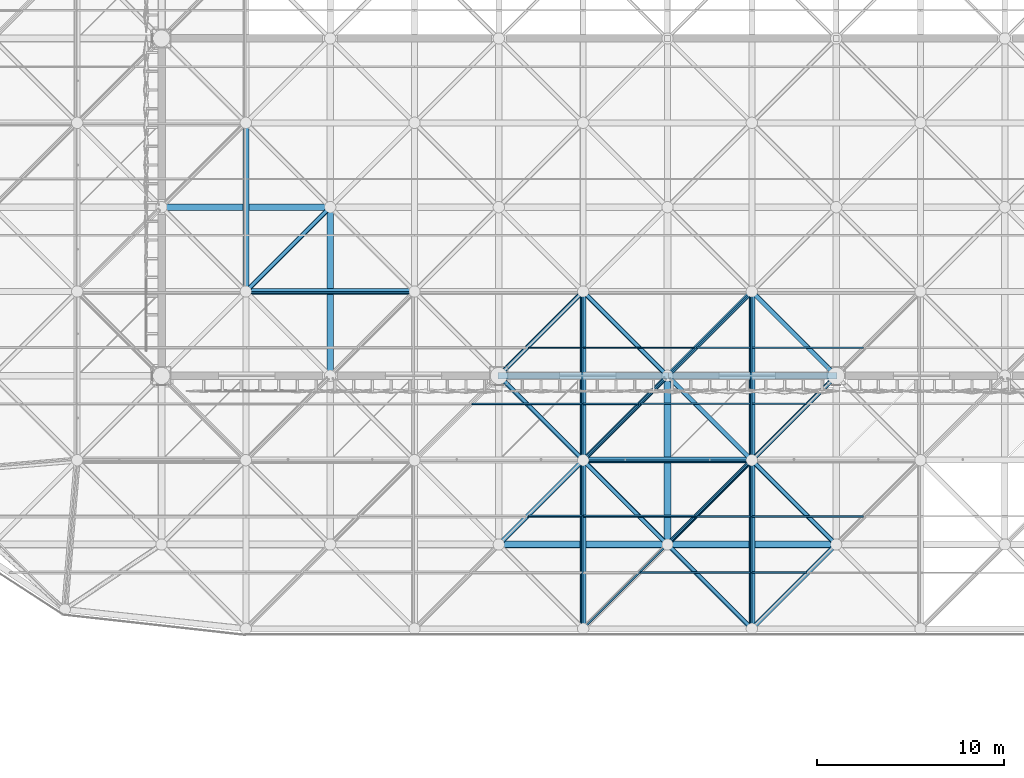
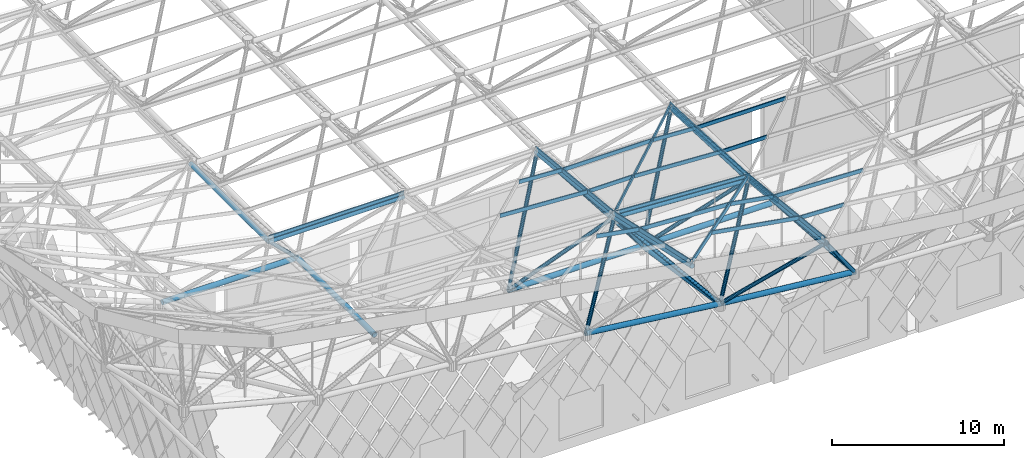
# One storey, part 53 of 437: 51 members.
"""IFC4 building model written with IfcOpenShell, lengths in metres."""

from ifc_helpers import new_model, si_unit, direction, frame, origin, origin_2d, place, context, subcontext, project, spatial, polyline, hollow_circle, outline, extrude, material, material_profile, profile_set, type_object, element, save


model = new_model("IFC4")

# Units and contexts
model_context = context("Model", 3, precision=1e-05, world=origin(), true_north=direction((0.0, 1.0)))
body_context = subcontext(model_context, "Body", "Model", "MODEL_VIEW")
ifc_project = project(units=[si_unit("LENGTHUNIT", "METRE"), si_unit("AREAUNIT", "SQUARE_METRE"), si_unit("VOLUMEUNIT", "CUBIC_METRE"), si_unit("PLANEANGLEUNIT", "RADIAN"), si_unit("MASSUNIT", "GRAM", prefix="KILO")], contexts=[model_context])

# Site, building, storey
site_placement = place(None, origin())
site = spatial("IfcSite", under=ifc_project, at=site_placement, CompositionType="ELEMENT")
building_placement = place(site_placement, origin())
building = spatial("IfcBuilding", under=site, at=building_placement, Name="Opaline Strait Convention Centre", CompositionType="ELEMENT")
storey_placement = place(building_placement, frame((0.0, 0.0, 11.5)))
storey = spatial("IfcBuildingStorey", under=building, at=storey_placement, Name="L02", CompositionType="ELEMENT", Elevation=11.5)

# Members
ifc_material = material(Name="Steel Q355B", Category="steel")
ifc_material_profile_1 = material_profile(ifc_material, outline(polyline([(-0.03759765625, -0.125), (0.03759765625, -0.125), (0.03759765625, -0.10498046875), (0.034912109375, -0.10498046875), (0.034912109375, -0.12255859375), (-0.034912109375, -0.12255859375), (-0.034912109375, 0.12255859375), (0.034912109375, 0.12255859375), (0.034912109375, 0.10498046875), (0.03759765625, 0.10498046875), (0.03759765625, 0.125), (-0.03759765625, 0.125), (-0.03759765625, -0.125)])), Name="C 250x75x20x2.5")
ifc_profile_set_1 = profile_set([ifc_material_profile_1], Name="Steel Q355B")
member_type_1 = type_object("IfcMemberType", Name="Roof purlin C 250x75x20x2.5", PredefinedType="PURLIN", material=ifc_profile_set_1)
member_1_placement = place(storey_placement, frame((121.439697265625, 49.550048828125, 19.149169921875), z_axis=(0.0, -0.976700958406, 0.214604841159), x_axis=(0.985529741381, -0.036376076933, -0.165553344517)))
element("IfcMember", 1, at=member_1_placement, inside=storey, type_object=member_type_1, Name="EXB-RF-E-3-0a", PredefinedType="PURLIN", context=body_context, shape_type="SweptSolid", body=[
    extrude(outline(polyline([(-0.03759765625, -0.125), (0.03759765625, -0.125), (0.03759765625, -0.10498046875), (0.034912109375, -0.10498046875), (0.034912109375, -0.12255859375), (-0.034912109375, -0.12255859375), (-0.034912109375, 0.12255859375), (0.034912109375, 0.12255859375), (0.034912109375, 0.10498046875), (0.03759765625, 0.10498046875), (0.03759765625, 0.125), (-0.03759765625, 0.125), (-0.03759765625, -0.125)])), origin(), (0.0, 0.0, 1.0), 9.317138671875),
])
member_2_placement = place(storey_placement, frame((118.550048828125, 46.5, 20.328125), z_axis=(0.984838613321, 0.0, -0.173473069127), x_axis=(-0.037227435225, 0.976701876974, -0.211347016969)))
element("IfcMember", 2, at=member_2_placement, inside=storey, type_object=member_type_1, Name="EXB-RF-P-3-0-1a", PredefinedType="PURLIN", context=body_context, shape_type="SweptSolid", body=[
    extrude(outline(polyline([(-0.03759765625, -0.125), (0.03759765625, -0.125), (0.03759765625, -0.10498046875), (0.034912109375, -0.10498046875), (0.034912109375, -0.12255859375), (-0.034912109375, -0.12255859375), (-0.034912109375, 0.12255859375), (0.034912109375, 0.12255859375), (0.034912109375, 0.10498046875), (0.03759765625, 0.10498046875), (0.03759765625, 0.125), (-0.03759765625, 0.125), (-0.03759765625, -0.125)])), origin(), (0.0, 0.0, 1.0), 2.899169921875),
])
member_3_placement = place(storey_placement, frame((121.5, 40.5, 21.121826171875), z_axis=(0.694204223982, 0.694204223982, -0.190160434401), x_axis=(-0.717833830455, 0.687135763969, -0.112067094763)))
element("IfcMember", 3, at=member_3_placement, inside=storey, type_object=member_type_1, Name="EXB-RF-F-4-0", PredefinedType="PURLIN", context=body_context, shape_type="SweptSolid", body=[
    extrude(outline(polyline([(-0.03759765625, -0.125), (0.03759765625, -0.125), (0.03759765625, -0.10498046875), (0.034912109375, -0.10498046875), (0.034912109375, -0.12255859375), (-0.034912109375, -0.12255859375), (-0.034912109375, 0.12255859375), (0.034912109375, 0.12255859375), (0.034912109375, 0.10498046875), (0.03759765625, 0.10498046875), (0.03759765625, 0.125), (-0.03759765625, 0.125), (-0.03759765625, -0.125)])), origin(), (0.0, 0.0, 1.0), 12.964599609375),
])
member_4_placement = place(storey_placement, frame((130.43994140625, 49.550048828125, 18.665771484375), z_axis=(0.0, -0.994612105595, 0.10366657805), x_axis=(0.986051866452, -0.017254091808, -0.165541574785)))
element("IfcMember", 4, at=member_4_placement, inside=storey, type_object=member_type_1, Name="EXB-RF-E-4-0a", PredefinedType="PURLIN", context=body_context, shape_type="SweptSolid", body=[
    extrude(outline(polyline([(-0.03759765625, -0.125), (0.03759765625, -0.125), (0.03759765625, -0.10498046875), (0.034912109375, -0.10498046875), (0.034912109375, -0.12255859375), (-0.034912109375, -0.12255859375), (-0.034912109375, 0.12255859375), (0.034912109375, 0.12255859375), (0.034912109375, 0.10498046875), (0.03759765625, 0.10498046875), (0.03759765625, 0.125), (-0.03759765625, 0.125), (-0.03759765625, -0.125)])), origin(), (0.0, 0.0, 1.0), 9.1494140625),
])
member_5_placement = place(storey_placement, frame((124.550048828125, 43.5, 20.2958984375), z_axis=(0.985905248574, 0.0, -0.167304634827), x_axis=(-0.017342598278, 0.994612915883, -0.102197758502)))
element("IfcMember", 5, at=member_5_placement, inside=storey, type_object=member_type_1, Name="EXB-RF-P-4-0-0a", PredefinedType="PURLIN", context=body_context, shape_type="SweptSolid", body=[
    extrude(outline(polyline([(-0.03759765625, -0.125), (0.03759765625, -0.125), (0.03759765625, -0.10498046875), (0.034912109375, -0.10498046875), (0.034912109375, -0.12255859375), (-0.034912109375, -0.12255859375), (-0.034912109375, 0.12255859375), (0.034912109375, 0.12255859375), (0.034912109375, 0.10498046875), (0.03759765625, 0.10498046875), (0.03759765625, 0.125), (-0.03759765625, 0.125), (-0.03759765625, -0.125)])), origin(), (0.0, 0.0, 1.0), 5.939208984375),
])
member_6_placement = place(storey_placement, frame((127.550048828125, 46.5, 19.47412109375), z_axis=(0.985902048342, 0.0, -0.167323492301), x_axis=(-0.017344553021, 0.994612915883, -0.10219742677)))
element("IfcMember", 6, at=member_6_placement, inside=storey, type_object=member_type_1, Name="EXB-RF-P-4-0-1a", PredefinedType="PURLIN", context=body_context, shape_type="SweptSolid", body=[
    extrude(outline(polyline([(-0.03759765625, -0.125), (0.03759765625, -0.125), (0.03759765625, -0.10498046875), (0.034912109375, -0.10498046875), (0.034912109375, -0.12255859375), (-0.034912109375, -0.12255859375), (-0.034912109375, 0.12255859375), (0.034912109375, 0.12255859375), (0.034912109375, 0.10498046875), (0.03759765625, 0.10498046875), (0.03759765625, 0.125), (-0.03759765625, 0.125), (-0.03759765625, -0.125)])), origin(), (0.0, 0.0, 1.0), 2.896240234375),
])
member_7_placement = place(storey_placement, frame((130.550048828125, 49.434326171875, 18.671630859375), z_axis=(-0.998533323421, 0.0, 0.054140576451), x_axis=(0.011602359597, -0.976767751484, 0.213986319453)))
element("IfcMember", 7, at=member_7_placement, inside=storey, type_object=member_type_1, Name="EXB-RF-E-4-0b", PredefinedType="PURLIN", context=body_context, shape_type="SweptSolid", body=[
    extrude(outline(polyline([(-0.03759765625, -0.125), (0.03759765625, -0.125), (0.03759765625, -0.10498046875), (0.034912109375, -0.10498046875), (0.034912109375, -0.12255859375), (-0.034912109375, -0.12255859375), (-0.034912109375, 0.12255859375), (0.034912109375, 0.12255859375), (0.034912109375, 0.10498046875), (0.03759765625, 0.10498046875), (0.03759765625, 0.125), (-0.03759765625, 0.125), (-0.03759765625, -0.125)])), origin(), (0.0, 0.0, 1.0), 9.113525390625),
])
member_8_placement = place(storey_placement, frame((121.5, 46.5, 19.806884765625), z_axis=(0.998534204977, 0.0, -0.05412431516), x_axis=(-0.011615113786, 0.976701876974, -0.214286099985)))
element("IfcMember", 8, at=member_8_placement, inside=storey, type_object=member_type_1, Name="EXB-RF-P-4-0-1b", PredefinedType="PURLIN", context=body_context, shape_type="SweptSolid", body=[
    extrude(outline(polyline([(-0.03759765625, -0.125), (0.03759765625, -0.125), (0.03759765625, -0.10498046875), (0.034912109375, -0.10498046875), (0.034912109375, -0.12255859375), (-0.034912109375, -0.12255859375), (-0.034912109375, 0.12255859375), (0.034912109375, 0.12255859375), (0.034912109375, 0.10498046875), (0.03759765625, 0.10498046875), (0.03759765625, 0.125), (-0.03759765625, 0.125), (-0.03759765625, -0.125)])), origin(), (0.0, 0.0, 1.0), 5.958740234375),
])
member_9_placement = place(storey_placement, frame((130.5, 43.5, 19.284423828125), z_axis=(0.999304142932, 0.0, -0.037299194609), x_axis=(-0.003866389887, 0.994612915883, -0.10358667186)))
element("IfcMember", 9, at=member_9_placement, inside=storey, type_object=member_type_1, Name="EXB-RF-P-5-0-0b", PredefinedType="PURLIN", context=body_context, shape_type="SweptSolid", body=[
    extrude(outline(polyline([(-0.03759765625, -0.125), (0.03759765625, -0.125), (0.03759765625, -0.10498046875), (0.034912109375, -0.10498046875), (0.034912109375, -0.12255859375), (-0.034912109375, -0.12255859375), (-0.034912109375, 0.12255859375), (0.034912109375, 0.12255859375), (0.034912109375, 0.10498046875), (0.03759765625, 0.10498046875), (0.03759765625, 0.125), (-0.03759765625, 0.125), (-0.03759765625, -0.125)])), origin(), (0.0, 0.0, 1.0), 2.951904296875),
])
member_10_placement = place(storey_placement, frame((130.5, 46.5, 18.971923828125), z_axis=(0.999302080681, 0.0, -0.037354404641), x_axis=(-0.003872112893, 0.994612915883, -0.10358645809)))
element("IfcMember", 10, at=member_10_placement, inside=storey, type_object=member_type_1, Name="EXB-RF-P-5-0-1b", PredefinedType="PURLIN", context=body_context, shape_type="SweptSolid", body=[
    extrude(outline(polyline([(-0.03759765625, -0.125), (0.03759765625, -0.125), (0.03759765625, -0.10498046875), (0.034912109375, -0.10498046875), (0.034912109375, -0.12255859375), (-0.034912109375, -0.12255859375), (-0.034912109375, 0.12255859375), (0.034912109375, 0.12255859375), (0.034912109375, 0.10498046875), (0.03759765625, 0.10498046875), (0.03759765625, 0.125), (-0.03759765625, 0.125), (-0.03759765625, -0.125)])), origin(), (0.0, 0.0, 1.0), 5.9541015625),
])
member_11_placement = place(storey_placement, frame((112.550048828125, 58.43603515625, 18.270751953125), z_axis=(-1.0, 0.0, 0.0), x_axis=(0.0, -0.97978004307, 0.200077652928)))
element("IfcMember", 11, at=member_11_placement, inside=storey, type_object=member_type_1, Name="EXB-RF-E-2-1b", PredefinedType="PURLIN", context=body_context, shape_type="SweptSolid", body=[
    extrude(outline(polyline([(-0.03759765625, -0.125), (0.03759765625, -0.125), (0.03759765625, -0.10498046875), (0.034912109375, -0.10498046875), (0.034912109375, -0.12255859375), (-0.034912109375, -0.12255859375), (-0.034912109375, 0.12255859375), (0.034912109375, 0.12255859375), (0.034912109375, 0.10498046875), (0.03759765625, 0.10498046875), (0.03759765625, 0.125), (-0.03759765625, 0.125), (-0.03759765625, -0.125)])), origin(), (0.0, 0.0, 1.0), 9.10009765625),
])
member_12_placement = place(storey_placement, frame((121.453125, 58.550048828125, 18.255126953125), z_axis=(0.0, -0.99514863855, 0.098382860253), x_axis=(0.998402930819, -0.005558054974, -0.056220065425)))
element("IfcMember", 12, at=member_12_placement, inside=storey, type_object=member_type_1, Name="EXB-RF-E-3-1a", PredefinedType="PURLIN", context=body_context, shape_type="SweptSolid", body=[
    extrude(outline(polyline([(-0.03759765625, -0.125), (0.03759765625, -0.125), (0.03759765625, -0.10498046875), (0.034912109375, -0.10498046875), (0.034912109375, -0.12255859375), (-0.034912109375, -0.12255859375), (-0.034912109375, 0.12255859375), (0.034912109375, 0.12255859375), (0.034912109375, 0.10498046875), (0.03759765625, 0.10498046875), (0.03759765625, 0.125), (-0.03759765625, 0.125), (-0.03759765625, -0.125)])), origin(), (0.0, 0.0, 1.0), 9.14453125),
])
member_13_placement = place(storey_placement, frame((115.550048828125, 52.5, 19.188720703125), z_axis=(0.998389263673, 0.0, -0.056735158257), x_axis=(-0.005581514902, 0.995149078082, -0.09821995258)))
element("IfcMember", 13, at=member_13_placement, inside=storey, type_object=member_type_1, Name="EXB-RF-P-3-1-0a", PredefinedType="PURLIN", context=body_context, shape_type="SweptSolid", body=[
    extrude(outline(polyline([(-0.03759765625, -0.125), (0.03759765625, -0.125), (0.03759765625, -0.10498046875), (0.034912109375, -0.10498046875), (0.034912109375, -0.12255859375), (-0.034912109375, -0.12255859375), (-0.034912109375, 0.12255859375), (0.034912109375, 0.12255859375), (0.034912109375, 0.10498046875), (0.03759765625, 0.10498046875), (0.03759765625, 0.125), (-0.03759765625, 0.125), (-0.03759765625, -0.125)])), origin(), (0.0, 0.0, 1.0), 5.878173828125),
])
member_14_placement = place(storey_placement, frame((118.550048828125, 55.5, 18.7216796875), z_axis=(0.998387885039, 0.0, -0.056759413379), x_axis=(-0.005583901083, 0.995149078082, -0.098219816952)))
element("IfcMember", 14, at=member_14_placement, inside=storey, type_object=member_type_1, Name="EXB-RF-P-3-1-1a", PredefinedType="PURLIN", context=body_context, shape_type="SweptSolid", body=[
    extrude(outline(polyline([(-0.03759765625, -0.125), (0.03759765625, -0.125), (0.03759765625, -0.10498046875), (0.034912109375, -0.10498046875), (0.034912109375, -0.12255859375), (-0.034912109375, -0.12255859375), (-0.034912109375, 0.12255859375), (0.034912109375, 0.12255859375), (0.034912109375, 0.10498046875), (0.03759765625, 0.10498046875), (0.03759765625, 0.125), (-0.03759765625, 0.125), (-0.03759765625, -0.125)])), origin(), (0.0, 0.0, 1.0), 2.873291015625),
])
member_15_placement = place(storey_placement, frame((121.5, 49.5, 19.144287109375), z_axis=(0.705385748856, 0.705385748856, -0.069727258812), x_axis=(-0.706758384602, 0.707423051329, 0.006724004996)))
element("IfcMember", 15, at=member_15_placement, inside=storey, type_object=member_type_1, Name="EXB-RF-F-4-1", PredefinedType="PURLIN", context=body_context, shape_type="SweptSolid", body=[
    extrude(outline(polyline([(-0.03759765625, -0.125), (0.03759765625, -0.125), (0.03759765625, -0.10498046875), (0.034912109375, -0.10498046875), (0.034912109375, -0.12255859375), (-0.034912109375, -0.12255859375), (-0.034912109375, 0.12255859375), (0.034912109375, 0.12255859375), (0.034912109375, 0.10498046875), (0.03759765625, 0.10498046875), (0.03759765625, 0.125), (-0.03759765625, 0.125), (-0.03759765625, -0.125)])), origin(), (0.0, 0.0, 1.0), 12.759033203125),
])
member_16_placement = place(storey_placement, frame((130.45361328125, 58.550048828125, 18.257568359375), z_axis=(0.0, -0.999005016003, 0.044597959613), x_axis=(0.998536953469, -0.002411571545, -0.054019782307)))
element("IfcMember", 16, at=member_16_placement, inside=storey, type_object=member_type_1, Name="EXB-RF-E-4-1a", PredefinedType="PURLIN", context=body_context, shape_type="SweptSolid", body=[
    extrude(outline(polyline([(-0.03759765625, -0.125), (0.03759765625, -0.125), (0.03759765625, -0.10498046875), (0.034912109375, -0.10498046875), (0.034912109375, -0.12255859375), (-0.034912109375, -0.12255859375), (-0.034912109375, 0.12255859375), (0.034912109375, 0.12255859375), (0.034912109375, 0.10498046875), (0.03759765625, 0.10498046875), (0.03759765625, 0.125), (-0.03759765625, 0.125), (-0.03759765625, -0.125)])), origin(), (0.0, 0.0, 1.0), 9.109130859375),
])
member_17_placement = place(storey_placement, frame((124.550048828125, 52.5, 18.84765625), z_axis=(0.998534214741, 0.0, -0.054124135023), x_axis=(-0.002414276433, 0.999004644434, -0.044540898827)))
element("IfcMember", 17, at=member_17_placement, inside=storey, type_object=member_type_1, Name="EXB-RF-P-4-1-0a", PredefinedType="PURLIN", context=body_context, shape_type="SweptSolid", body=[
    extrude(outline(polyline([(-0.03759765625, -0.125), (0.03759765625, -0.125), (0.03759765625, -0.10498046875), (0.034912109375, -0.10498046875), (0.034912109375, -0.12255859375), (-0.034912109375, -0.12255859375), (-0.034912109375, 0.12255859375), (0.034912109375, 0.12255859375), (0.034912109375, 0.10498046875), (0.03759765625, 0.10498046875), (0.03759765625, 0.125), (-0.03759765625, 0.125), (-0.03759765625, -0.125)])), origin(), (0.0, 0.0, 1.0), 5.87744140625),
])
member_18_placement = place(storey_placement, frame((127.550048828125, 55.5, 18.551025390625), z_axis=(0.998533968288, 0.0, -0.054128681627), x_axis=(-0.00241447924, 0.999004644434, -0.044540887834)))
element("IfcMember", 18, at=member_18_placement, inside=storey, type_object=member_type_1, Name="EXB-RF-P-4-1-1a", PredefinedType="PURLIN", context=body_context, shape_type="SweptSolid", body=[
    extrude(outline(polyline([(-0.03759765625, -0.125), (0.03759765625, -0.125), (0.03759765625, -0.10498046875), (0.034912109375, -0.10498046875), (0.034912109375, -0.12255859375), (-0.034912109375, -0.12255859375), (-0.034912109375, 0.12255859375), (0.034912109375, 0.12255859375), (0.034912109375, 0.10498046875), (0.03759765625, 0.10498046875), (0.03759765625, 0.125), (-0.03759765625, 0.125), (-0.03759765625, -0.125)])), origin(), (0.0, 0.0, 1.0), 2.873046875),
])
member_19_placement = place(storey_placement, frame((121.5, 52.5, 18.850341796875), z_axis=(1.0, 0.0, 0.0), x_axis=(0.0, 0.995149078082, -0.098378414266)))
element("IfcMember", 19, at=member_19_placement, inside=storey, type_object=member_type_1, Name="EXB-RF-P-4-1-0b", PredefinedType="PURLIN", context=body_context, shape_type="SweptSolid", body=[
    extrude(outline(polyline([(-0.03759765625, -0.125), (0.03759765625, -0.125), (0.03759765625, -0.10498046875), (0.034912109375, -0.10498046875), (0.034912109375, -0.12255859375), (-0.034912109375, -0.12255859375), (-0.034912109375, 0.12255859375), (0.034912109375, 0.12255859375), (0.034912109375, 0.10498046875), (0.03759765625, 0.10498046875), (0.03759765625, 0.125), (-0.03759765625, 0.125), (-0.03759765625, -0.125)])), origin(), (0.0, 0.0, 1.0), 2.949951171875),
])
member_20_placement = place(storey_placement, frame((121.5, 55.5, 18.5537109375), z_axis=(1.0, 0.0, 0.0), x_axis=(0.0, 0.995149078082, -0.098378414266)))
element("IfcMember", 20, at=member_20_placement, inside=storey, type_object=member_type_1, Name="EXB-RF-P-4-1-1b", PredefinedType="PURLIN", context=body_context, shape_type="SweptSolid", body=[
    extrude(outline(polyline([(-0.03759765625, -0.125), (0.03759765625, -0.125), (0.03759765625, -0.10498046875), (0.034912109375, -0.10498046875), (0.034912109375, -0.12255859375), (-0.034912109375, -0.12255859375), (-0.034912109375, 0.12255859375), (0.034912109375, 0.12255859375), (0.034912109375, 0.10498046875), (0.03759765625, 0.10498046875), (0.03759765625, 0.125), (-0.03759765625, 0.125), (-0.03759765625, -0.125)])), origin(), (0.0, 0.0, 1.0), 5.949951171875),
])
member_21_placement = place(storey_placement, frame((130.5, 52.5, 18.52490234375), z_axis=(1.0, 0.0, 0.0), x_axis=(0.0, 0.999004644434, -0.044606282058)))
element("IfcMember", 21, at=member_21_placement, inside=storey, type_object=member_type_1, Name="EXB-RF-P-5-1-0b", PredefinedType="PURLIN", context=body_context, shape_type="SweptSolid", body=[
    extrude(outline(polyline([(-0.03759765625, -0.125), (0.03759765625, -0.125), (0.03759765625, -0.10498046875), (0.034912109375, -0.10498046875), (0.034912109375, -0.12255859375), (-0.034912109375, -0.12255859375), (-0.034912109375, 0.12255859375), (0.034912109375, 0.12255859375), (0.034912109375, 0.10498046875), (0.03759765625, 0.10498046875), (0.03759765625, 0.125), (-0.03759765625, 0.125), (-0.03759765625, -0.125)])), origin(), (0.0, 0.0, 1.0), 2.949951171875),
])
member_22_placement = place(storey_placement, frame((130.5, 55.5, 18.390869140625), z_axis=(1.0, 0.0, 0.0), x_axis=(0.0, 0.999004644434, -0.044606282058)))
element("IfcMember", 22, at=member_22_placement, inside=storey, type_object=member_type_1, Name="EXB-RF-P-5-1-1b", PredefinedType="PURLIN", context=body_context, shape_type="SweptSolid", body=[
    extrude(outline(polyline([(-0.03759765625, -0.125), (0.03759765625, -0.125), (0.03759765625, -0.10498046875), (0.034912109375, -0.10498046875), (0.034912109375, -0.12255859375), (-0.034912109375, -0.12255859375), (-0.034912109375, 0.12255859375), (0.034912109375, 0.12255859375), (0.034912109375, 0.10498046875), (0.03759765625, 0.10498046875), (0.03759765625, 0.125), (-0.03759765625, 0.125), (-0.03759765625, -0.125)])), origin(), (0.0, 0.0, 1.0), 5.949951171875),
])
ifc_material_profile_2 = material_profile(ifc_material, hollow_circle(Radius=0.175537109375, WallThickness=0.01611328125, at=origin_2d()), Name="CHS 351x16")
ifc_profile_set_2 = profile_set([ifc_material_profile_2], Name="Steel Q355B")
member_type_2 = type_object("IfcMemberType", Name="Space frame bottom chord CHS 351x16", PredefinedType="CHORD", material=ifc_profile_set_2)
member_23_placement = place(storey_placement, frame((116.950439453125, 45.0, 14.916748046875), z_axis=(0.993180584954, 0.0, -0.116586129841), x_axis=(0.0, 1.0, 0.0)))
element("IfcMember", 23, at=member_23_placement, inside=storey, type_object=member_type_2, Name="EXB-RF-BX-3-0", PredefinedType="CHORD", context=body_context, shape_type="SweptSolid", body=[
    extrude(hollow_circle(Radius=0.175537109375, WallThickness=0.01611328125, at=origin_2d()), origin(), (0.0, 0.0, 1.0), 9.16162109375),
])
member_24_placement = place(storey_placement, frame((125.9501953125, 45.0, 13.859375), z_axis=(0.99509044308, 0.0, -0.098969743306), x_axis=(0.0, 1.0, 0.0)))
element("IfcMember", 24, at=member_24_placement, inside=storey, type_object=member_type_2, Name="EXB-RF-BX-4-0", PredefinedType="CHORD", context=body_context, shape_type="SweptSolid", body=[
    extrude(hollow_circle(Radius=0.175537109375, WallThickness=0.01611328125, at=origin_2d()), origin(), (0.0, 0.0, 1.0), 9.14453125),
])
for number, where, z_axis, x_axis, name in (
    (25, (116.949951171875, 54.0, 12.5), (1.0, 0.0, 0.0), (0.0, 1.0, 0.0), "EXB-RF-BX-3-1"),
    (26, (125.949951171875, 54.0, 12.5), (1.0, 0.0, 0.0), (0.0, 1.0, 0.0), "EXB-RF-BX-4-1"),
    (27, (98.949951171875, 63.0, 12.5), (1.0, 0.0, 0.0), (0.0, 1.0, 0.0), "EXB-RF-BX-1-2"),
    (28, (108.0, 53.949951171875, 12.5), (0.0, 1.0, 0.0), (-1.0, 0.0, 0.0), "EXB-RF-BY-2-1"),
):
    element("IfcMember", number, at=place(storey_placement, frame(where, z_axis=z_axis, x_axis=x_axis)), inside=storey, type_object=member_type_2, Name=name, PredefinedType="CHORD", context=body_context, shape_type="SweptSolid", body=[
        extrude(hollow_circle(Radius=0.175537109375, WallThickness=0.01611328125, at=origin_2d()), origin(), (0.0, 0.0, 1.0), 9.10009765625),
    ])
member_25_placement = place(storey_placement, frame((126.0, 44.950439453125, 13.862060546875), z_axis=(0.0, 0.988864228986, -0.148820484582), x_axis=(-1.0, 0.0, 0.0)))
element("IfcMember", 29, at=member_25_placement, inside=storey, type_object=member_type_2, Name="EXB-RF-BY-4-0", PredefinedType="CHORD", context=body_context, shape_type="SweptSolid", body=[
    extrude(hollow_circle(Radius=0.175537109375, WallThickness=0.01611328125, at=origin_2d()), origin(), (0.0, 0.0, 1.0), 9.20166015625),
])
ifc_material_profile_3 = material_profile(ifc_material, hollow_circle(Radius=0.16259765625, WallThickness=0.02001953125, at=origin_2d()), Name="CHS 325x20")
ifc_profile_set_3 = profile_set([ifc_material_profile_3], Name="Steel Q355B")
member_type_3 = type_object("IfcMemberType", Name="Space frame top chord CHS 325x20", PredefinedType="CHORD", material=ifc_profile_set_3)
member_26_placement = place(storey_placement, frame((121.4501953125, 49.5, 18.864013671875), z_axis=(0.99853316636, 0.0, -0.054143473095), x_axis=(0.0, 1.0, 0.0)))
element("IfcMember", 30, at=member_26_placement, inside=storey, type_object=member_type_3, Name="EXB-RF-TX-4-1", PredefinedType="CHORD", context=body_context, shape_type="SweptSolid", body=[
    extrude(hollow_circle(Radius=0.16259765625, WallThickness=0.02001953125, at=origin_2d()), origin(), (0.0, 0.0, 1.0), 9.113037109375),
])
for number, where, z_axis, x_axis, name in (
    (31, (103.449951171875, 58.5, 17.971435546875), (1.0, 0.0, 0.0), (0.0, 1.0, 0.0), "EXB-RF-TX-2-2"),
    (32, (103.5, 58.449951171875, 17.971435546875), (0.0, 1.0, 0.0), (-1.0, 0.0, 0.0), "EXB-RF-TY-2-2"),
):
    element("IfcMember", number, at=place(storey_placement, frame(where, z_axis=z_axis, x_axis=x_axis)), inside=storey, type_object=member_type_3, Name=name, PredefinedType="CHORD", context=body_context, shape_type="SweptSolid", body=[
        extrude(hollow_circle(Radius=0.16259765625, WallThickness=0.02001953125, at=origin_2d()), origin(), (0.0, 0.0, 1.0), 9.10009765625),
    ])
member_27_placement = place(storey_placement, frame((121.5, 40.451171875, 20.849365234375), z_axis=(0.0, 0.976705368416, -0.214584769515), x_axis=(-1.0, 0.0, 0.0)))
element("IfcMember", 33, at=member_27_placement, inside=storey, type_object=member_type_3, Name="EXB-RF-TY-4-0", PredefinedType="CHORD", context=body_context, shape_type="SweptSolid", body=[
    extrude(hollow_circle(Radius=0.16259765625, WallThickness=0.02001953125, at=origin_2d()), origin(), (0.0, 0.0, 1.0), 9.314697265625),
])
member_28_placement = place(storey_placement, frame((121.5, 49.4501953125, 18.8662109375), z_axis=(0.0, 0.995148121675, -0.098388088334), x_axis=(-1.0, 0.0, 0.0)))
element("IfcMember", 34, at=member_28_placement, inside=storey, type_object=member_type_3, Name="EXB-RF-TY-4-1", PredefinedType="CHORD", context=body_context, shape_type="SweptSolid", body=[
    extrude(hollow_circle(Radius=0.16259765625, WallThickness=0.02001953125, at=origin_2d()), origin(), (0.0, 0.0, 1.0), 9.14404296875),
])
member_29_placement = place(storey_placement, frame((130.5, 40.4501953125, 19.31640625), z_axis=(0.0, 0.994614283282, -0.10364568245), x_axis=(-1.0, 0.0, 0.0)))
element("IfcMember", 35, at=member_29_placement, inside=storey, type_object=member_type_3, Name="EXB-RF-TY-5-0", PredefinedType="CHORD", context=body_context, shape_type="SweptSolid", body=[
    extrude(hollow_circle(Radius=0.16259765625, WallThickness=0.02001953125, at=origin_2d()), origin(), (0.0, 0.0, 1.0), 9.14892578125),
])
member_30_placement = place(storey_placement, frame((130.5, 49.449951171875, 18.37548828125), z_axis=(0.0, 0.999005016003, -0.044597959613), x_axis=(-1.0, 0.0, 0.0)))
element("IfcMember", 36, at=member_30_placement, inside=storey, type_object=member_type_3, Name="EXB-RF-TY-5-1", PredefinedType="CHORD", context=body_context, shape_type="SweptSolid", body=[
    extrude(hollow_circle(Radius=0.16259765625, WallThickness=0.02001953125, at=origin_2d()), origin(), (0.0, 0.0, 1.0), 9.109130859375),
])
ifc_material_profile_4 = material_profile(ifc_material, hollow_circle(Radius=0.12255859375, WallThickness=0.011962890625, at=origin_2d()), Name="CHS 245x12")
ifc_profile_set_4 = profile_set([ifc_material_profile_4], Name="Steel Q355B")
member_type_4 = type_object("IfcMemberType", Name="Space frame web CHS 245x12", PredefinedType="BRACE", material=ifc_profile_set_4)
member_31_placement = place(storey_placement, frame((103.47314453125, 58.47314453125, 18.004150390625), z_axis=(0.536178220346, 0.536178220346, -0.6519400525), x_axis=(-0.707106781187, 0.707106781187, 0.0)))
element("IfcMember", 37, at=member_31_placement, inside=storey, type_object=member_type_4, Name="EXB-RF-W-2-2-00", PredefinedType="BRACE", context=body_context, shape_type="SweptSolid", body=[
    extrude(hollow_circle(Radius=0.12255859375, WallThickness=0.011962890625, at=origin_2d()), origin(), (0.0, 0.0, 1.0), 8.492919921875),
])
member_32_placement = place(storey_placement, frame((121.530029296875, 49.530029296875, 18.8876953125), z_axis=(-0.600769193716, -0.600769193716, -0.527401888283), x_axis=(0.707106781187, -0.707106781187, 0.0)))
element("IfcMember", 38, at=member_32_placement, inside=storey, type_object=member_type_4, Name="EXB-RF-W-3-0-11", PredefinedType="BRACE", context=body_context, shape_type="SweptSolid", body=[
    extrude(hollow_circle(Radius=0.12255859375, WallThickness=0.011962890625, at=origin_2d()), origin(), (0.0, 0.0, 1.0), 7.59033203125),
])
member_33_placement = place(storey_placement, frame((121.52490234375, 49.47509765625, 18.896484375), z_axis=(-0.50009756062, 0.50009756062, -0.706968782708), x_axis=(-0.707106781187, -0.707106781187, 0.0)))
element("IfcMember", 39, at=member_33_placement, inside=storey, type_object=member_type_4, Name="EXB-RF-W-3-1-10", PredefinedType="BRACE", context=body_context, shape_type="SweptSolid", body=[
    extrude(hollow_circle(Radius=0.12255859375, WallThickness=0.011962890625, at=origin_2d()), origin(), (0.0, 0.0, 1.0), 9.097900390625),
])
member_34_placement = place(storey_placement, frame((121.52685546875, 58.52685546875, 18.004150390625), z_axis=(-0.536178220346, -0.536178220346, -0.6519400525), x_axis=(0.707106781187, -0.707106781187, 0.0)))
element("IfcMember", 40, at=member_34_placement, inside=storey, type_object=member_type_4, Name="EXB-RF-W-3-1-11", PredefinedType="BRACE", context=body_context, shape_type="SweptSolid", body=[
    extrude(hollow_circle(Radius=0.12255859375, WallThickness=0.011962890625, at=origin_2d()), origin(), (0.0, 0.0, 1.0), 8.492919921875),
])
member_35_placement = place(storey_placement, frame((121.47216796875, 49.52783203125, 18.89208984375), z_axis=(0.555738694164, -0.555738694164, -0.618311416374), x_axis=(0.707106781187, 0.707106781187, 0.0)))
element("IfcMember", 41, at=member_35_placement, inside=storey, type_object=member_type_4, Name="EXB-RF-W-4-0-01", PredefinedType="BRACE", context=body_context, shape_type="SweptSolid", body=[
    extrude(hollow_circle(Radius=0.12255859375, WallThickness=0.011962890625, at=origin_2d()), origin(), (0.0, 0.0, 1.0), 8.197509765625),
])
member_36_placement = place(storey_placement, frame((130.52685546875, 40.47314453125, 19.343994140625), z_axis=(-0.53679140387, 0.53679140387, -0.650930086464), x_axis=(-0.707106781187, -0.707106781187, 0.0)))
element("IfcMember", 42, at=member_36_placement, inside=storey, type_object=member_type_4, Name="EXB-RF-W-4-0-10", PredefinedType="BRACE", context=body_context, shape_type="SweptSolid", body=[
    extrude(hollow_circle(Radius=0.12255859375, WallThickness=0.011962890625, at=origin_2d()), origin(), (0.0, 0.0, 1.0), 8.483154296875),
])
member_37_placement = place(storey_placement, frame((130.52880859375, 49.52880859375, 18.40234375), z_axis=(-0.576535854323, -0.576535854323, -0.578975662149), x_axis=(0.707106781187, -0.707106781187, 0.0)))
element("IfcMember", 43, at=member_37_placement, inside=storey, type_object=member_type_4, Name="EXB-RF-W-4-0-11", PredefinedType="BRACE", context=body_context, shape_type="SweptSolid", body=[
    extrude(hollow_circle(Radius=0.12255859375, WallThickness=0.011962890625, at=origin_2d()), origin(), (0.0, 0.0, 1.0), 7.9052734375),
])
member_38_placement = place(storey_placement, frame((121.47509765625, 49.47509765625, 18.896484375), z_axis=(0.50009756062, 0.50009756062, -0.706968782708), x_axis=(-0.707106781187, 0.707106781187, 0.0)))
element("IfcMember", 44, at=member_38_placement, inside=storey, type_object=member_type_4, Name="EXB-RF-W-4-1-00", PredefinedType="BRACE", context=body_context, shape_type="SweptSolid", body=[
    extrude(hollow_circle(Radius=0.12255859375, WallThickness=0.011962890625, at=origin_2d()), origin(), (0.0, 0.0, 1.0), 9.097900390625),
])
member_39_placement = place(storey_placement, frame((121.47314453125, 58.52685546875, 18.004150390625), z_axis=(0.536178220346, -0.536178220346, -0.6519400525), x_axis=(0.707106781187, 0.707106781187, 0.0)))
element("IfcMember", 45, at=member_39_placement, inside=storey, type_object=member_type_4, Name="EXB-RF-W-4-1-01", PredefinedType="BRACE", context=body_context, shape_type="SweptSolid", body=[
    extrude(hollow_circle(Radius=0.12255859375, WallThickness=0.011962890625, at=origin_2d()), origin(), (0.0, 0.0, 1.0), 8.492919921875),
])
member_40_placement = place(storey_placement, frame((130.52587890625, 49.47412109375, 18.4072265625), z_axis=(-0.519617871627, 0.519617871627, -0.678228969429), x_axis=(-0.707106781187, -0.707106781187, 0.0)))
element("IfcMember", 46, at=member_40_placement, inside=storey, type_object=member_type_4, Name="EXB-RF-W-4-1-10", PredefinedType="BRACE", context=body_context, shape_type="SweptSolid", body=[
    extrude(hollow_circle(Radius=0.12255859375, WallThickness=0.011962890625, at=origin_2d()), origin(), (0.0, 0.0, 1.0), 8.759765625),
])
member_41_placement = place(storey_placement, frame((130.52685546875, 58.52685546875, 18.004150390625), z_axis=(-0.536178220346, -0.536178220346, -0.6519400525), x_axis=(0.707106781187, -0.707106781187, 0.0)))
element("IfcMember", 47, at=member_41_placement, inside=storey, type_object=member_type_4, Name="EXB-RF-W-4-1-11", PredefinedType="BRACE", context=body_context, shape_type="SweptSolid", body=[
    extrude(hollow_circle(Radius=0.12255859375, WallThickness=0.011962890625, at=origin_2d()), origin(), (0.0, 0.0, 1.0), 8.492919921875),
])
member_42_placement = place(storey_placement, frame((130.47509765625, 40.47509765625, 19.3466796875), z_axis=(0.500458219713, 0.500458219713, -0.706458166237), x_axis=(-0.707106781187, 0.707106781187, 0.0)))
element("IfcMember", 48, at=member_42_placement, inside=storey, type_object=member_type_4, Name="EXB-RF-W-5-0-00", PredefinedType="BRACE", context=body_context, shape_type="SweptSolid", body=[
    extrude(hollow_circle(Radius=0.12255859375, WallThickness=0.011962890625, at=origin_2d()), origin(), (0.0, 0.0, 1.0), 9.09130859375),
])
member_43_placement = place(storey_placement, frame((130.47314453125, 49.52685546875, 18.40576171875), z_axis=(0.538573162213, -0.538573162213, -0.647979859169), x_axis=(0.707106781187, 0.707106781187, 0.0)))
element("IfcMember", 49, at=member_43_placement, inside=storey, type_object=member_type_4, Name="EXB-RF-W-5-0-01", PredefinedType="BRACE", context=body_context, shape_type="SweptSolid", body=[
    extrude(hollow_circle(Radius=0.12255859375, WallThickness=0.011962890625, at=origin_2d()), origin(), (0.0, 0.0, 1.0), 8.455078125),
])
member_44_placement = place(storey_placement, frame((130.47412109375, 49.47412109375, 18.4072265625), z_axis=(0.519617871627, 0.519617871627, -0.678228969429), x_axis=(-0.707106781187, 0.707106781187, 0.0)))
element("IfcMember", 50, at=member_44_placement, inside=storey, type_object=member_type_4, Name="EXB-RF-W-5-1-00", PredefinedType="BRACE", context=body_context, shape_type="SweptSolid", body=[
    extrude(hollow_circle(Radius=0.12255859375, WallThickness=0.011962890625, at=origin_2d()), origin(), (0.0, 0.0, 1.0), 8.759765625),
])
member_45_placement = place(storey_placement, frame((130.47314453125, 58.52685546875, 18.004150390625), z_axis=(0.536178220346, -0.536178220346, -0.6519400525), x_axis=(0.707106781187, 0.707106781187, 0.0)))
element("IfcMember", 51, at=member_45_placement, inside=storey, type_object=member_type_4, Name="EXB-RF-W-5-1-01", PredefinedType="BRACE", context=body_context, shape_type="SweptSolid", body=[
    extrude(hollow_circle(Radius=0.12255859375, WallThickness=0.011962890625, at=origin_2d()), origin(), (0.0, 0.0, 1.0), 8.492919921875),
])

save(model, "model.ifc")
